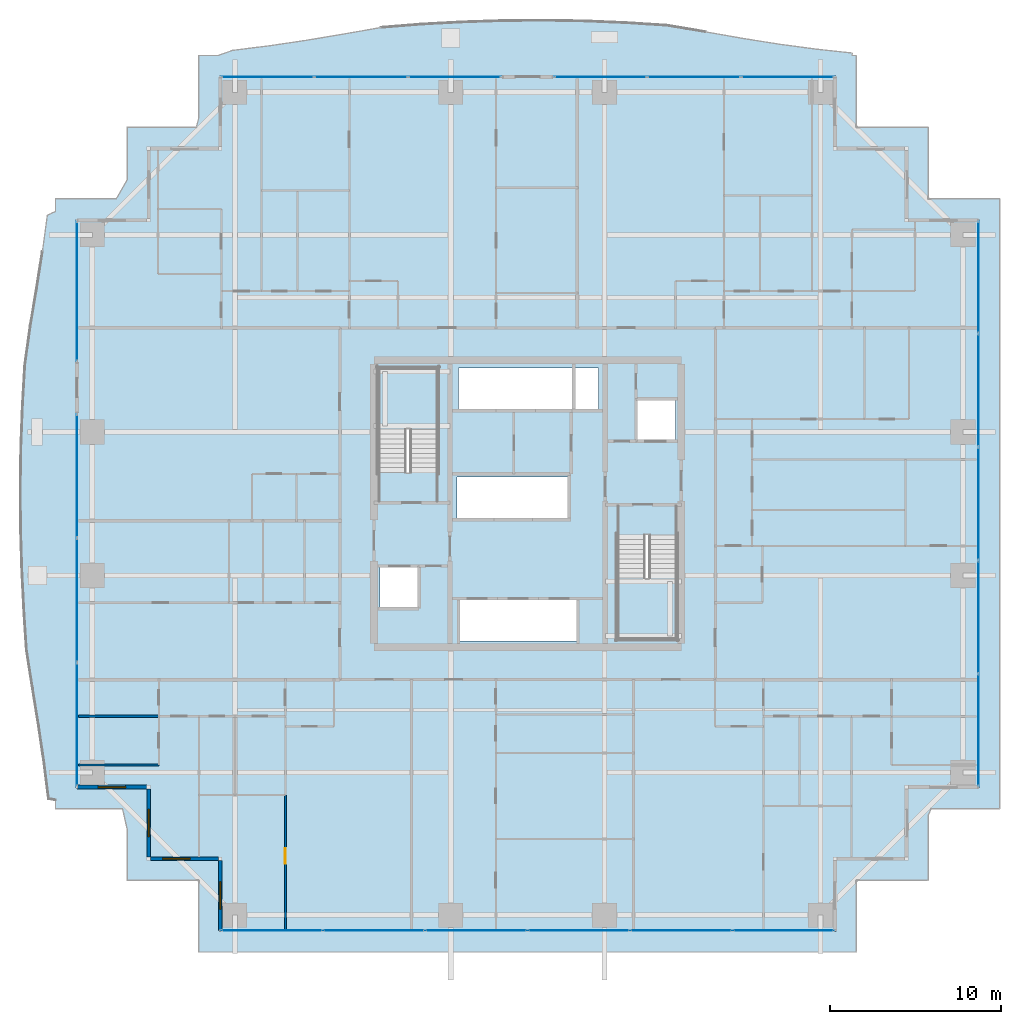
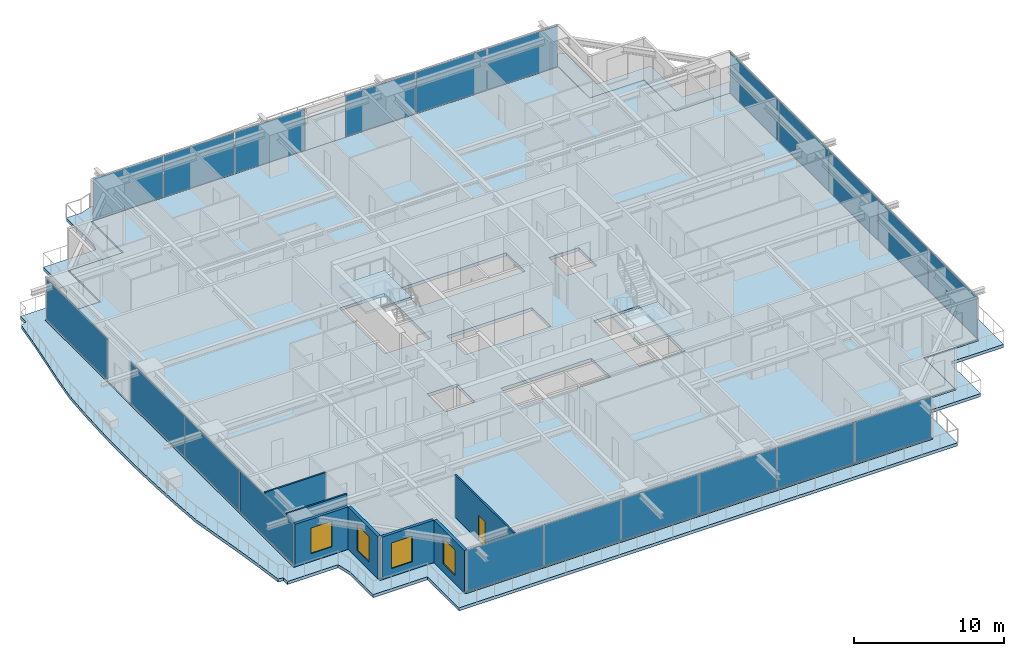
# One storey, part 22 of 35: 21 plates, 7 walls, 4 slabs, 4 windows, 1 door, 5 openings, 8 elements without a shape of their own.
"""IFC4 building model written with IfcOpenShell, lengths in metres."""

from ifc_helpers import new_model, si_unit, direction, frame, frame_2d, origin, origin_2d, place, context, subcontext, project, spatial, polyline, rectangle, outline, extrude, source, transform, mapped, material, layer, layer_set, type_object, element, fill, aggregate, save


model = new_model("IFC4")

# Units and contexts
model_context = context("Model", 3, precision=1e-05, world=origin(), true_north=direction((0.0, 1.0)))
body_context = subcontext(model_context, "Body", "Model", "MODEL_VIEW")
ifc_project = project(units=[si_unit("LENGTHUNIT", "METRE"), si_unit("AREAUNIT", "SQUARE_METRE"), si_unit("VOLUMEUNIT", "CUBIC_METRE"), si_unit("PLANEANGLEUNIT", "RADIAN"), si_unit("MASSUNIT", "GRAM", prefix="KILO")], contexts=[model_context])

# Site, building, storey
site_placement = place(None, origin())
site = spatial("IfcSite", under=ifc_project, at=site_placement, CompositionType="ELEMENT")
building_placement = place(site_placement, origin())
building = spatial("IfcBuilding", under=site, at=building_placement, Name="Serunith Strait Residences", CompositionType="ELEMENT")
storey_placement = place(building_placement, frame((0.0, 0.0, 71.699951171875)))
storey = spatial("IfcBuildingStorey", under=building, at=storey_placement, Name="L17", CompositionType="ELEMENT", Elevation=71.699951171875)

# Slab
ifc_material_1 = material(Name="Concrete C50/60", Category="concrete")
ifc_layer_1 = layer(ifc_material_1, 0.239990234375, Name="Concrete C50/60")
ifc_layer_set_1 = layer_set([ifc_layer_1], Name="Concrete C50/60")
slab_type_1 = type_object("IfcSlabType", Name="SLB-BALC-240", PredefinedType="FLOOR", material=ifc_layer_set_1)
slab_1_placement = place(storey_placement, frame((0.0, 0.0, -0.2900390625)))
element("IfcSlab", 1, at=slab_1_placement, inside=storey, type_object=slab_type_1, Name="L17 Planted Vertical-Forest Balcony Slab", PredefinedType="FLOOR", context=body_context, shape_type="SweptSolid", body=[
    extrude(outline(polyline([(4.739990234375, 7.8486328125), (4.343994140625, 7.912841796875), (4.0751953125, 10.045166015625), (3.758056640625, 12.198974609375), (3.402587890625, 14.39013671875), (3.04833984375, 16.63916015625), (2.896240234375, 18.98828125), (2.779296875, 21.366455078125), (2.70751953125, 23.76611328125), (2.68896484375, 26.17529296875), (2.726318359375, 28.581298828125), (2.817138671875, 30.970947265625), (2.953369140625, 33.3330078125), (3.2705078125, 35.608642578125), (3.639892578125, 37.809814453125), (3.977294921875, 39.967529296875), (4.266845703125, 42.099609375), (4.739990234375, 42.315185546875), (4.739990234375, 43.06005859375), (8.30224609375, 43.06005859375), (8.93994140625, 44.169921875), (8.93994140625, 47.260009765625), (12.993408203125, 47.260009765625), (13.139892578125, 47.809814453125), (13.139892578125, 51.4599609375), (14.28369140625, 51.4599609375), (15.120361328125, 51.757080078125), (17.246826171875, 52.019775390625), (19.39208984375, 52.337890625), (21.572998046875, 52.703369140625), (23.808837890625, 53.093505859375), (26.156005859375, 53.28369140625), (28.544189453125, 53.412109375), (30.957275390625, 53.49072265625), (33.38134765625, 53.5107421875), (35.801513671875, 53.468505859375), (38.202392578125, 53.366943359375), (40.5712890625, 53.21630859375), (42.828369140625, 52.8369140625), (45.018310546875, 52.45361328125), (47.166259765625, 52.113037109375), (49.291259765625, 51.828369140625), (51.407958984375, 51.599853515625), (51.40673828125, 51.4599609375), (51.659912109375, 51.4599609375), (51.659912109375, 47.260009765625), (55.860107421875, 47.260009765625), (55.860107421875, 43.06005859375), (60.06005859375, 43.06005859375), (60.06005859375, 7.340087890625), (56.041259765625, 7.340087890625), (55.860107421875, 6.9423828125), (55.860107421875, 3.139892578125), (51.659912109375, 3.139892578125), (51.659912109375, -1.06005859375), (13.139892578125, -1.06005859375), (13.139892578125, 3.139892578125), (8.93994140625, 3.139892578125), (8.93994140625, 6.15087890625), (8.669921875, 7.340087890625), (4.739990234375, 7.340087890625), (4.739990234375, 7.8486328125)]), holes=[polyline([(50.455078125, 0.14501953125), (50.455078125, 4.344970703125), (54.655029296875, 4.344970703125), (54.655029296875, 8.544921875), (58.85498046875, 8.544921875), (58.85498046875, 41.85498046875), (54.655029296875, 41.85498046875), (54.655029296875, 46.054931640625), (50.455078125, 46.054931640625), (50.455078125, 50.2548828125), (14.344970703125, 50.2548828125), (14.344970703125, 46.054931640625), (10.14501953125, 46.054931640625), (10.14501953125, 41.85498046875), (5.945068359375, 41.85498046875), (5.945068359375, 8.544921875), (10.14501953125, 8.544921875), (10.14501953125, 4.344970703125), (14.344970703125, 4.344970703125), (14.344970703125, 0.14501953125), (50.455078125, 0.14501953125)])]), origin(), (0.0, 0.0, 1.0), 0.239990234375),
])

# Stair, slab
stair_type_1 = type_object("IfcStairType", Name="STR-CORE-1", PredefinedType="HALF_TURN_STAIR", material=ifc_material_1)
stair_1_placement = place(storey_placement, origin())
stair_1 = element("IfcStair", 2, at=stair_1_placement, inside=storey, type_object=stair_type_1, Name="L17 Protected Escape Stair ST-1", PredefinedType="HALF_TURN_STAIR")
ifc_layer_2 = layer(ifc_material_1, 0.199951171875, Name="Concrete C50/60")
ifc_layer_set_2 = layer_set([ifc_layer_2], Name="Concrete C50/60")
slab_type_2 = type_object("IfcSlabType", Name="SLB-LAND-200", PredefinedType="LANDING", material=ifc_layer_set_2)
slab_2_placement = place(storey_placement, frame((0.0, 0.0, 1.675048828125)))
slab_2 = element("IfcSlab", 3, at=slab_2_placement, type_object=slab_type_2, Name="ST-1 landing 1", PredefinedType="LANDING", context=body_context, shape_type="SweptSolid", body=[
    extrude(outline(polyline([(27.14990234375, 29.550048828125), (27.14990234375, 33.14990234375), (23.64990234375, 33.14990234375), (23.64990234375, 29.550048828125), (27.14990234375, 29.550048828125)])), origin(), (0.0, 0.0, 1.0), 0.199951171875),
])
aggregate(stair_1, [slab_2])

stair_type_2 = type_object("IfcStairType", Name="STR-CORE-2", PredefinedType="HALF_TURN_STAIR", material=ifc_material_1)
stair_2_placement = place(storey_placement, origin())
stair_2 = element("IfcStair", 4, at=stair_2_placement, inside=storey, type_object=stair_type_2, Name="L17 Protected Escape Stair ST-2", PredefinedType="HALF_TURN_STAIR")
slab_3_placement = place(storey_placement, frame((0.0, 0.0, 1.675048828125)))
slab_3 = element("IfcSlab", 5, at=slab_3_placement, type_object=slab_type_2, Name="ST-2 landing 1", PredefinedType="LANDING", context=body_context, shape_type="SweptSolid", body=[
    extrude(outline(polyline([(37.64990234375, 20.85009765625), (37.64990234375, 17.25), (41.14990234375, 17.25), (41.14990234375, 20.85009765625), (37.64990234375, 20.85009765625)])), origin(), (0.0, 0.0, 1.0), 0.199951171875),
])
aggregate(stair_2, [slab_3])

# Slab
ifc_material_2 = material(Name="Concrete C60/75", Category="concrete")
ifc_layer_3 = layer(ifc_material_2, 0.260009765625, Name="Concrete C60/75")
ifc_layer_set_3 = layer_set([ifc_layer_3], Name="Concrete C60/75")
slab_type_3 = type_object("IfcSlabType", Name="SLB-TWR-260-Z1", PredefinedType="FLOOR", material=ifc_layer_set_3)
slab_4_placement = place(storey_placement, frame((0.0, 0.0, -0.260009765625)))
element("IfcSlab", 6, at=slab_4_placement, inside=storey, type_object=slab_type_3, Name="L17 Structural Floor Plate", PredefinedType="FLOOR", context=body_context, shape_type="SweptSolid", body=[
    extrude(outline(polyline([(14.39990234375, 4.39990234375), (10.199951171875, 4.39990234375), (10.199951171875, 8.60009765625), (6.0, 8.60009765625), (6.0, 41.800048828125), (10.199951171875, 41.800048828125), (10.199951171875, 46.0), (14.39990234375, 46.0), (14.39990234375, 50.199951171875), (50.39990234375, 50.199951171875), (50.39990234375, 46.0), (54.60009765625, 46.0), (54.60009765625, 41.800048828125), (58.800048828125, 41.800048828125), (58.800048828125, 8.60009765625), (54.60009765625, 8.60009765625), (54.60009765625, 4.39990234375), (50.39990234375, 4.39990234375), (50.39990234375, 0.199951171875), (14.39990234375, 0.199951171875), (14.39990234375, 4.39990234375)]), holes=[polyline([(41.14990234375, 17.25), (41.14990234375, 23.3701171875), (37.64990234375, 23.3701171875), (37.64990234375, 17.25), (41.14990234375, 17.25)]), polyline([(41.050048828125, 31.25), (38.75, 31.25), (38.75, 28.85009765625), (41.050048828125, 28.85009765625), (41.050048828125, 31.25)]), polyline([(36.550048828125, 33.14990234375), (28.35009765625, 33.14990234375), (28.35009765625, 30.64990234375), (36.550048828125, 30.64990234375), (36.550048828125, 33.14990234375)]), polyline([(28.35009765625, 19.64990234375), (28.35009765625, 17.14990234375), (35.35009765625, 17.14990234375), (35.35009765625, 19.64990234375), (28.35009765625, 19.64990234375)]), polyline([(34.85009765625, 26.75), (28.25, 26.75), (28.25, 24.25), (34.85009765625, 24.25), (34.85009765625, 26.75)]), polyline([(23.64990234375, 33.14990234375), (23.64990234375, 27.030029296875), (27.14990234375, 27.030029296875), (27.14990234375, 33.14990234375), (23.64990234375, 33.14990234375)]), polyline([(26.050048828125, 21.550048828125), (23.75, 21.550048828125), (23.75, 19.14990234375), (26.050048828125, 19.14990234375), (26.050048828125, 21.550048828125)])]), origin(), (0.0, 0.0, 1.0), 0.260009765625),
])

# Curtain wall, plates
ifc_material_3 = material(Name="Pale-Champagne Anodised Aluminium", Category="aluminium")
ifc_layer_4 = layer(ifc_material_3, 0.199951171875, Name="Pale-Champagne Anodised Aluminium")
ifc_layer_set_4 = layer_set([ifc_layer_4], Name="Pale-Champagne Anodised Aluminium")
curtain_wall_type = type_object("IfcCurtainWallType", Name="CW-SYS1", PredefinedType="NOTDEFINED", material=ifc_layer_set_4)
curtain_wall_1_placement = place(storey_placement, origin())
curtain_wall_1 = element("IfcCurtainWall", 7, at=curtain_wall_1_placement, inside=storey, type_object=curtain_wall_type, Name="L17 S Unitised Fritted Curtain Wall", PredefinedType="NOTDEFINED")
ifc_material_4 = material(Name="Ceramic-Fritted Low-E Double Glazing 28mm", Category="glass")
ifc_layer_5 = layer(ifc_material_4, 0.028076171875, Name="Ceramic-Fritted Low-E Double Glazing 28mm")
ifc_layer_set_5 = layer_set([ifc_layer_5], Name="Ceramic-Fritted Low-E Double Glazing 28mm")
plate_type = type_object("IfcPlateType", Name="CW-SYS1-PNL", PredefinedType="CURTAIN_PANEL", material=ifc_layer_set_5)
shared_shape_1 = source(origin(), body_context, "Body", "SweptSolid", [
    extrude(rectangle(XDim=5.89501953125, YDim=0.028076171875, at=origin_2d()), origin(), (0.0, 0.0, 1.0), 3.35498046875),
])
plate_1_placement = place(storey_placement, frame((17.41748046875, 0.199951171875, 0.06005859375), z_axis=(0.0, 0.0, 1.0), x_axis=(1.0, 0.0, 0.0)))
plate_1 = element("IfcPlate", 8, at=plate_1_placement, type_object=plate_type, Name="CW-1 panel 1.1", PredefinedType="CURTAIN_PANEL", context=body_context, shape_type="MappedRepresentation", body=[
    mapped(shared_shape_1, transform((0.0, 0.0, 0.0), scale=1.0)),
])
plate_2_placement = place(storey_placement, frame((47.382568359375, 0.199951171875, 0.06005859375), z_axis=(0.0, 0.0, 1.0), x_axis=(1.0, 0.0, 0.0)))
plate_2 = element("IfcPlate", 9, at=plate_2_placement, type_object=plate_type, Name="CW-1 panel 6.1", PredefinedType="CURTAIN_PANEL", context=body_context, shape_type="MappedRepresentation", body=[
    mapped(shared_shape_1, transform((0.0, 0.0, 0.0), scale=1.0)),
])
shared_shape_2 = source(origin(), body_context, "Body", "SweptSolid", [
    extrude(rectangle(XDim=5.929931640625, YDim=0.028076171875, at=origin_2d()), origin(), (0.0, 0.0, 1.0), 3.35498046875),
])
plate_3_placement = place(storey_placement, frame((23.39990234375, 0.199951171875, 0.06005859375), z_axis=(0.0, 0.0, 1.0), x_axis=(1.0, 0.0, 0.0)))
plate_3 = element("IfcPlate", 10, at=plate_3_placement, type_object=plate_type, Name="CW-1 panel 2.1", PredefinedType="CURTAIN_PANEL", context=body_context, shape_type="MappedRepresentation", body=[
    mapped(shared_shape_2, transform((0.0, 0.0, 0.0), scale=1.0)),
])
plate_4_placement = place(storey_placement, frame((29.39990234375, 0.199951171875, 0.06005859375), z_axis=(0.0, 0.0, 1.0), x_axis=(1.0, 0.0, 0.0)))
plate_4 = element("IfcPlate", 11, at=plate_4_placement, type_object=plate_type, Name="CW-1 panel 3.1", PredefinedType="CURTAIN_PANEL", context=body_context, shape_type="MappedRepresentation", body=[
    mapped(shared_shape_2, transform((0.0, 0.0, 0.0), scale=1.0)),
])
plate_5_placement = place(storey_placement, frame((35.39990234375, 0.199951171875, 0.06005859375), z_axis=(0.0, 0.0, 1.0), x_axis=(1.0, 0.0, 0.0)))
plate_5 = element("IfcPlate", 12, at=plate_5_placement, type_object=plate_type, Name="CW-1 panel 4.1", PredefinedType="CURTAIN_PANEL", context=body_context, shape_type="MappedRepresentation", body=[
    mapped(shared_shape_2, transform((0.0, 0.0, 0.0), scale=1.0)),
])
plate_6_placement = place(storey_placement, frame((41.39990234375, 0.199951171875, 0.06005859375), z_axis=(0.0, 0.0, 1.0), x_axis=(1.0, 0.0, 0.0)))
plate_6 = element("IfcPlate", 13, at=plate_6_placement, type_object=plate_type, Name="CW-1 panel 5.1", PredefinedType="CURTAIN_PANEL", context=body_context, shape_type="MappedRepresentation", body=[
    mapped(shared_shape_2, transform((0.0, 0.0, 0.0), scale=1.0)),
])
aggregate(curtain_wall_1, [plate_1, plate_3, plate_4, plate_5, plate_6, plate_2])

curtain_wall_2_placement = place(storey_placement, origin())
curtain_wall_2 = element("IfcCurtainWall", 14, at=curtain_wall_2_placement, inside=storey, type_object=curtain_wall_type, Name="L17 N Unitised Fritted Curtain Wall", PredefinedType="NOTDEFINED")
shared_shape_3 = source(origin(), body_context, "Body", "SweptSolid", [
    extrude(rectangle(XDim=5.39501953125, YDim=0.028076171875, at=origin_2d()), origin(), (0.0, 0.0, 1.0), 3.35498046875),
])
plate_7_placement = place(storey_placement, frame((47.632568359375, 50.199951171875, 0.06005859375), z_axis=(0.0, 0.0, 1.0), x_axis=(-1.0, 0.0, 0.0)))
plate_7 = element("IfcPlate", 15, at=plate_7_placement, type_object=plate_type, Name="CW-1 panel 1.1", PredefinedType="CURTAIN_PANEL", context=body_context, shape_type="MappedRepresentation", body=[
    mapped(shared_shape_3, transform((0.0, 0.0, 0.0), scale=1.0)),
])
plate_8_placement = place(storey_placement, frame((36.66748046875, 50.199951171875, 0.06005859375), z_axis=(0.0, 0.0, 1.0), x_axis=(-1.0, 0.0, 0.0)))
plate_8 = element("IfcPlate", 16, at=plate_8_placement, type_object=plate_type, Name="CW-1 panel 3.1", PredefinedType="CURTAIN_PANEL", context=body_context, shape_type="MappedRepresentation", body=[
    mapped(shared_shape_3, transform((0.0, 0.0, 0.0), scale=1.0)),
])

curtain_wall_3_placement = place(storey_placement, origin())
curtain_wall_3 = element("IfcCurtainWall", 17, at=curtain_wall_3_placement, inside=storey, type_object=curtain_wall_type, Name="L17 N Unitised Fritted Curtain Wall", PredefinedType="NOTDEFINED")
plate_9_placement = place(storey_placement, frame((28.132568359375, 50.199951171875, 0.06005859375), z_axis=(0.0, 0.0, 1.0), x_axis=(-1.0, 0.0, 0.0)))
plate_9 = element("IfcPlate", 18, at=plate_9_placement, type_object=plate_type, Name="CW-1 panel 1.1", PredefinedType="CURTAIN_PANEL", context=body_context, shape_type="MappedRepresentation", body=[
    mapped(shared_shape_3, transform((0.0, 0.0, 0.0), scale=1.0)),
])
plate_10_placement = place(storey_placement, frame((17.16748046875, 50.199951171875, 0.06005859375), z_axis=(0.0, 0.0, 1.0), x_axis=(-1.0, 0.0, 0.0)))
plate_10 = element("IfcPlate", 19, at=plate_10_placement, type_object=plate_type, Name="CW-1 panel 3.1", PredefinedType="CURTAIN_PANEL", context=body_context, shape_type="MappedRepresentation", body=[
    mapped(shared_shape_3, transform((0.0, 0.0, 0.0), scale=1.0)),
])

# Plate
shared_shape_4 = source(origin(), body_context, "Body", "SweptSolid", [
    extrude(rectangle(XDim=5.429931640625, YDim=0.028076171875, at=origin_2d()), origin(), (0.0, 0.0, 1.0), 3.35498046875),
])
plate_11_placement = place(storey_placement, frame((42.14990234375, 50.199951171875, 0.06005859375), z_axis=(0.0, 0.0, 1.0), x_axis=(-1.0, 0.0, 0.0)))
plate_11 = element("IfcPlate", 20, at=plate_11_placement, type_object=plate_type, Name="CW-1 panel 2.1", PredefinedType="CURTAIN_PANEL", context=body_context, shape_type="MappedRepresentation", body=[
    mapped(shared_shape_4, transform((0.0, 0.0, 0.0), scale=1.0)),
])

aggregate(curtain_wall_2, [plate_7, plate_11, plate_8])

plate_12_placement = place(storey_placement, frame((22.64990234375, 50.199951171875, 0.06005859375), z_axis=(0.0, 0.0, 1.0), x_axis=(-1.0, 0.0, 0.0)))
plate_12 = element("IfcPlate", 21, at=plate_12_placement, type_object=plate_type, Name="CW-1 panel 2.1", PredefinedType="CURTAIN_PANEL", context=body_context, shape_type="MappedRepresentation", body=[
    mapped(shared_shape_4, transform((0.0, 0.0, 0.0), scale=1.0)),
])

aggregate(curtain_wall_3, [plate_9, plate_12, plate_10])

# Curtain wall, plates
curtain_wall_4_placement = place(storey_placement, origin())
curtain_wall_4 = element("IfcCurtainWall", 22, at=curtain_wall_4_placement, inside=storey, type_object=curtain_wall_type, Name="L17 E Unitised Fritted Curtain Wall", PredefinedType="NOTDEFINED")
shared_shape_5 = source(origin(), body_context, "Body", "SweptSolid", [
    extrude(rectangle(XDim=6.534912109375, YDim=0.028076171875, at=origin_2d()), origin(), (0.0, 0.0, 1.0), 3.35498046875),
])
plate_13_placement = place(storey_placement, frame((58.800048828125, 11.9375, 0.06005859375), z_axis=(0.0, 0.0, 1.0), x_axis=(0.0, 1.0, 0.0)))
plate_13 = element("IfcPlate", 23, at=plate_13_placement, type_object=plate_type, Name="CW-1 panel 1.1", PredefinedType="CURTAIN_PANEL", context=body_context, shape_type="MappedRepresentation", body=[
    mapped(shared_shape_5, transform((0.0, 0.0, 0.0), scale=1.0)),
])
plate_14_placement = place(storey_placement, frame((58.800048828125, 38.46240234375, 0.06005859375), z_axis=(0.0, 0.0, 1.0), x_axis=(0.0, 1.0, 0.0)))
plate_14 = element("IfcPlate", 24, at=plate_14_placement, type_object=plate_type, Name="CW-1 panel 5.1", PredefinedType="CURTAIN_PANEL", context=body_context, shape_type="MappedRepresentation", body=[
    mapped(shared_shape_5, transform((0.0, 0.0, 0.0), scale=1.0)),
])
shared_shape_6 = source(origin(), body_context, "Body", "SweptSolid", [
    extrude(rectangle(XDim=6.570068359375, YDim=0.028076171875, at=origin_2d()), origin(), (0.0, 0.0, 1.0), 3.35498046875),
])
plate_15_placement = place(storey_placement, frame((58.800048828125, 18.56005859375, 0.06005859375), z_axis=(0.0, 0.0, 1.0), x_axis=(0.0, 1.0, 0.0)))
plate_15 = element("IfcPlate", 25, at=plate_15_placement, type_object=plate_type, Name="CW-1 panel 2.1", PredefinedType="CURTAIN_PANEL", context=body_context, shape_type="MappedRepresentation", body=[
    mapped(shared_shape_6, transform((0.0, 0.0, 0.0), scale=1.0)),
])
plate_16_placement = place(storey_placement, frame((58.800048828125, 25.199951171875, 0.06005859375), z_axis=(0.0, 0.0, 1.0), x_axis=(0.0, 1.0, 0.0)))
plate_16 = element("IfcPlate", 26, at=plate_16_placement, type_object=plate_type, Name="CW-1 panel 3.1", PredefinedType="CURTAIN_PANEL", context=body_context, shape_type="MappedRepresentation", body=[
    mapped(shared_shape_6, transform((0.0, 0.0, 0.0), scale=1.0)),
])
plate_17_placement = place(storey_placement, frame((58.800048828125, 31.840087890625, 0.06005859375), z_axis=(0.0, 0.0, 1.0), x_axis=(0.0, 1.0, 0.0)))
plate_17 = element("IfcPlate", 27, at=plate_17_placement, type_object=plate_type, Name="CW-1 panel 4.1", PredefinedType="CURTAIN_PANEL", context=body_context, shape_type="MappedRepresentation", body=[
    mapped(shared_shape_6, transform((0.0, 0.0, 0.0), scale=1.0)),
])
aggregate(curtain_wall_4, [plate_13, plate_15, plate_16, plate_17, plate_14])

# Curtain wall, plate
curtain_wall_5_placement = place(storey_placement, origin())
curtain_wall_5 = element("IfcCurtainWall", 28, at=curtain_wall_5_placement, inside=storey, type_object=curtain_wall_type, Name="L17 W Unitised Fritted Curtain Wall", PredefinedType="NOTDEFINED")
shared_shape_7 = source(origin(), body_context, "Body", "SweptSolid", [
    extrude(rectangle(XDim=8.159912109375, YDim=0.028076171875, at=origin_2d()), origin(), (0.0, 0.0, 1.0), 3.35498046875),
])
plate_18_placement = place(storey_placement, frame((6.0, 37.64990234375, 0.06005859375), z_axis=(0.0, 0.0, 1.0), x_axis=(0.0, -1.0, 0.0)))
plate_18 = element("IfcPlate", 29, at=plate_18_placement, type_object=plate_type, Name="CW-1 panel 1.1", PredefinedType="CURTAIN_PANEL", context=body_context, shape_type="MappedRepresentation", body=[
    mapped(shared_shape_7, transform((0.0, 0.0, 0.0), scale=1.0)),
])
aggregate(curtain_wall_5, [plate_18])

# Curtain wall, plates
curtain_wall_6_placement = place(storey_placement, origin())
curtain_wall_6 = element("IfcCurtainWall", 30, at=curtain_wall_6_placement, inside=storey, type_object=curtain_wall_type, Name="L17 W Unitised Fritted Curtain Wall", PredefinedType="NOTDEFINED")
shared_shape_8 = source(origin(), body_context, "Body", "SweptSolid", [
    extrude(rectangle(XDim=7.195068359375, YDim=0.028076171875, at=origin_2d()), origin(), (0.0, 0.0, 1.0), 3.35498046875),
])
plate_19_placement = place(storey_placement, frame((6.0, 26.83251953125, 0.06005859375), z_axis=(0.0, 0.0, 1.0), x_axis=(0.0, -1.0, 0.0)))
plate_19 = element("IfcPlate", 31, at=plate_19_placement, type_object=plate_type, Name="CW-1 panel 1.1", PredefinedType="CURTAIN_PANEL", context=body_context, shape_type="MappedRepresentation", body=[
    mapped(shared_shape_8, transform((0.0, 0.0, 0.0), scale=1.0)),
])
plate_20_placement = place(storey_placement, frame((6.0, 12.267578125, 0.06005859375), z_axis=(0.0, 0.0, 1.0), x_axis=(0.0, -1.0, 0.0)))
plate_20 = element("IfcPlate", 32, at=plate_20_placement, type_object=plate_type, Name="CW-1 panel 3.1", PredefinedType="CURTAIN_PANEL", context=body_context, shape_type="MappedRepresentation", body=[
    mapped(shared_shape_8, transform((0.0, 0.0, 0.0), scale=1.0)),
])
shared_shape_9 = source(origin(), body_context, "Body", "SweptSolid", [
    extrude(rectangle(XDim=7.22998046875, YDim=0.028076171875, at=origin_2d()), origin(), (0.0, 0.0, 1.0), 3.35498046875),
])
plate_21_placement = place(storey_placement, frame((6.0, 19.550048828125, 0.06005859375), z_axis=(0.0, 0.0, 1.0), x_axis=(0.0, -1.0, 0.0)))
plate_21 = element("IfcPlate", 33, at=plate_21_placement, type_object=plate_type, Name="CW-1 panel 2.1", PredefinedType="CURTAIN_PANEL", context=body_context, shape_type="MappedRepresentation", body=[
    mapped(shared_shape_9, transform((0.0, 0.0, 0.0), scale=1.0)),
])
aggregate(curtain_wall_6, [plate_19, plate_21, plate_20])

# Wall, opening, window
ifc_material_5 = material(Name="Pale-Champagne Aluminium Insulated Panel", Category="aluminium")
ifc_layer_6 = layer(ifc_material_5, 0.219970703125, Name="Pale-Champagne Aluminium Insulated Panel")
ifc_layer_set_6 = layer_set([ifc_layer_6], Name="Pale-Champagne Aluminium Insulated Panel")
wall_type_1 = type_object("IfcWallType", Name="EW-ALUM-220", PredefinedType="ELEMENTEDWALL", material=ifc_layer_set_6)
wall_1_placement = place(storey_placement, frame((6.0, 8.60009765625, 0.0), z_axis=(0.0, 0.0, 1.0), x_axis=(1.0, 0.0, 0.0)))
wall_1 = element("IfcWall", 34, at=wall_1_placement, inside=storey, type_object=wall_type_1, Name="L17 Girih Serrated Corner Wall 17", PredefinedType="ELEMENTEDWALL", context=body_context, shape_type="SweptSolid", body=[
    extrude(rectangle(XDim=4.090087890625, YDim=0.219970703125, at=frame_2d((2.044921875, 0.0))), origin(), (0.0, 0.0, 1.0), 3.47509765625),
])
opening_1_placement = place(wall_1_placement, frame((1.2451171875, 0.0, 0.64990234375)))
opening_1 = element("IfcOpeningElement", 35, at=opening_1_placement, cuts=wall_1, Name="Opening W-02", PredefinedType="OPENING", context=body_context, shape_type="SweptSolid", body=[
    extrude(rectangle(XDim=1.60009765625, YDim=2.10009765625, at=frame_2d((0.800048828125, 1.050048828125))), frame((0.0, 0.1201171875, 0.0), z_axis=(0.0, -1.0, 0.0), x_axis=(1.0, 0.0, 0.0)), (0.0, 0.0, 1.0), 0.239990234375),
])
ifc_material_6 = material(Name="Ceramic-Fritted Operable Aluminium Window Glass", Category="aluminium")
window_type = type_object("IfcWindowType", Name="WIN-C2", PartitioningType="DOUBLE_PANEL_VERTICAL", PredefinedType="WINDOW", material=ifc_material_6)
shared_shape_10 = source(origin(), body_context, "Body", "SweptSolid", [
    extrude(rectangle(XDim=1.60009765625, YDim=2.10009765625, at=frame_2d((0.800048828125, 1.050048828125))), frame((0.0, 0.030029296875, 0.0), z_axis=(0.0, -1.0, 0.0), x_axis=(1.0, 0.0, 0.0)), (0.0, 0.0, 1.0), 0.06005859375),
])
window_1_placement = place(opening_1_placement, origin())
window_1 = element("IfcWindow", 36, at=window_1_placement, inside=storey, type_object=window_type, Name="L17 Corner Operable Fritted Window 17", OverallHeight=2.10009765625, OverallWidth=1.60009765625, PartitioningType="SINGLE_PANEL", PredefinedType="WINDOW", context=body_context, shape_type="MappedRepresentation", body=[
    mapped(shared_shape_10, transform((0.0, 0.0, 0.0), scale=1.0)),
])
fill(opening_1, window_1)

wall_2_placement = place(storey_placement, frame((10.199951171875, 8.489990234375, 0.0), z_axis=(0.0, 0.0, 1.0), x_axis=(0.0, -1.0, 0.0)))
wall_2 = element("IfcWall", 37, at=wall_2_placement, inside=storey, type_object=wall_type_1, Name="L17 Girih Serrated Corner Wall 18", PredefinedType="ELEMENTEDWALL", context=body_context, shape_type="SweptSolid", body=[
    extrude(rectangle(XDim=3.97998046875, YDim=0.219970703125, at=frame_2d((1.989990234375, 0.0))), origin(), (0.0, 0.0, 1.0), 3.47509765625),
])
opening_2_placement = place(wall_2_placement, frame((1.18994140625, 0.0, 0.64990234375)))
opening_2 = element("IfcOpeningElement", 38, at=opening_2_placement, cuts=wall_2, Name="Opening W-02", PredefinedType="OPENING", context=body_context, shape_type="SweptSolid", body=[
    extrude(rectangle(XDim=1.60009765625, YDim=2.10009765625, at=frame_2d((0.800048828125, 1.050048828125))), frame((0.0, 0.1201171875, 0.0), z_axis=(0.0, -1.0, 0.0), x_axis=(1.0, 0.0, 0.0)), (0.0, 0.0, 1.0), 0.239990234375),
])
window_2_placement = place(opening_2_placement, origin())
window_2 = element("IfcWindow", 39, at=window_2_placement, inside=storey, type_object=window_type, Name="L17 Corner Operable Fritted Window 18", OverallHeight=2.10009765625, OverallWidth=1.60009765625, PartitioningType="SINGLE_PANEL", PredefinedType="WINDOW", context=body_context, shape_type="MappedRepresentation", body=[
    mapped(shared_shape_10, transform((0.0, 0.0, 0.0), scale=1.0)),
])
fill(opening_2, window_2)

wall_3_placement = place(storey_placement, frame((10.31005859375, 4.39990234375, 0.0), z_axis=(0.0, 0.0, 1.0), x_axis=(1.0, 0.0, 0.0)))
wall_3 = element("IfcWall", 40, at=wall_3_placement, inside=storey, type_object=wall_type_1, Name="L17 Girih Serrated Corner Wall 19", PredefinedType="ELEMENTEDWALL", context=body_context, shape_type="SweptSolid", body=[
    extrude(rectangle(XDim=3.97998046875, YDim=0.219970703125, at=frame_2d((1.989990234375, 0.0))), origin(), (0.0, 0.0, 1.0), 3.47509765625),
])
opening_3_placement = place(wall_3_placement, frame((0.714111328125, 0.0, 0.64990234375)))
opening_3 = element("IfcOpeningElement", 41, at=opening_3_placement, cuts=wall_3, Name="Opening W-02", PredefinedType="OPENING", context=body_context, shape_type="SweptSolid", body=[
    extrude(rectangle(XDim=1.60009765625, YDim=2.10009765625, at=frame_2d((0.800048828125, 1.050048828125))), frame((0.0, 0.1201171875, 0.0), z_axis=(0.0, -1.0, 0.0), x_axis=(1.0, 0.0, 0.0)), (0.0, 0.0, 1.0), 0.239990234375),
])
window_3_placement = place(opening_3_placement, origin())
window_3 = element("IfcWindow", 42, at=window_3_placement, inside=storey, type_object=window_type, Name="L17 Corner Operable Fritted Window 19", OverallHeight=2.10009765625, OverallWidth=1.60009765625, PartitioningType="SINGLE_PANEL", PredefinedType="WINDOW", context=body_context, shape_type="MappedRepresentation", body=[
    mapped(shared_shape_10, transform((0.0, 0.0, 0.0), scale=1.0)),
])
fill(opening_3, window_3)

wall_4_placement = place(storey_placement, frame((14.39990234375, 4.2900390625, 0.0), z_axis=(0.0, 0.0, 1.0), x_axis=(0.0, -1.0, 0.0)))
wall_4 = element("IfcWall", 43, at=wall_4_placement, inside=storey, type_object=wall_type_1, Name="L17 Girih Serrated Corner Wall 20", PredefinedType="ELEMENTEDWALL", context=body_context, shape_type="SweptSolid", body=[
    extrude(rectangle(XDim=4.090087890625, YDim=0.219970703125, at=frame_2d((2.044921875, 0.0))), origin(), (0.0, 0.0, 1.0), 3.47509765625),
])
opening_4_placement = place(wall_4_placement, frame((1.2451171875, 0.0, 0.64990234375)))
opening_4 = element("IfcOpeningElement", 44, at=opening_4_placement, cuts=wall_4, Name="Opening W-02", PredefinedType="OPENING", context=body_context, shape_type="SweptSolid", body=[
    extrude(rectangle(XDim=1.60009765625, YDim=2.10009765625, at=frame_2d((0.800048828125, 1.050048828125))), frame((0.0, 0.1201171875, 0.0), z_axis=(0.0, -1.0, 0.0), x_axis=(1.0, 0.0, 0.0)), (0.0, 0.0, 1.0), 0.239990234375),
])
window_4_placement = place(opening_4_placement, origin())
window_4 = element("IfcWindow", 45, at=window_4_placement, inside=storey, type_object=window_type, Name="L17 Corner Operable Fritted Window 20", OverallHeight=2.10009765625, OverallWidth=1.60009765625, PartitioningType="SINGLE_PANEL", PredefinedType="WINDOW", context=body_context, shape_type="MappedRepresentation", body=[
    mapped(shared_shape_10, transform((0.0, 0.0, 0.0), scale=1.0)),
])
fill(opening_4, window_4)

# Wall, opening, door
ifc_material_7 = material(Name="Lightweight steel-stud gypsum partition", Category="steel")
ifc_layer_7 = layer(ifc_material_7, 0.1201171875, Name="Lightweight steel-stud gypsum partition")
ifc_layer_set_7 = layer_set([ifc_layer_7], Name="Lightweight steel-stud gypsum partition")
wall_type_2 = type_object("IfcWallType", Name="IW-PART-120", PredefinedType="PARTITIONING", material=ifc_layer_set_7)
wall_5_placement = place(storey_placement, frame((18.2099609375, 0.294921875, 0.0), z_axis=(0.0, 0.0, 1.0), x_axis=(0.0, 1.0, 0.0)))
wall_5 = element("IfcWall", 46, at=wall_5_placement, inside=storey, type_object=wall_type_2, Name="L17 Partition Wall 030", PredefinedType="PARTITIONING", context=body_context, shape_type="SweptSolid", body=[
    extrude(rectangle(XDim=7.843994140625, YDim=0.1201171875, at=frame_2d((3.921875, 0.0))), origin(), (0.0, 0.0, 1.0), 3.489990234375),
])
opening_5_placement = place(wall_5_placement, frame((3.819091796875, 0.0, 0.0)))
opening_5 = element("IfcOpeningElement", 47, at=opening_5_placement, cuts=wall_5, Name="Opening D-RM900", PredefinedType="OPENING", context=body_context, shape_type="SweptSolid", body=[
    extrude(rectangle(XDim=0.89990234375, YDim=2.10009765625, at=frame_2d((0.449951171875, 1.050048828125))), frame((0.0, 0.070068359375, 0.0), z_axis=(0.0, -1.0, 0.0), x_axis=(1.0, 0.0, 0.0)), (0.0, 0.0, 1.0), 0.14013671875),
])
ifc_material_8 = material(Name="Engineered timber flush bedroom door", Category="wood")
door_type = type_object("IfcDoorType", Name="ID-ROOM-900", OperationType="NOTDEFINED", PredefinedType="DOOR", material=ifc_material_8)
shared_shape_11 = source(origin(), body_context, "Body", "SweptSolid", [
    extrude(rectangle(XDim=0.89990234375, YDim=2.10009765625, at=frame_2d((0.449951171875, 1.050048828125))), frame((0.0, 0.02490234375, 0.0), z_axis=(0.0, -1.0, 0.0), x_axis=(1.0, 0.0, 0.0)), (0.0, 0.0, 1.0), 0.050048828125),
])
door_placement = place(opening_5_placement, origin())
door = element("IfcDoor", 48, at=door_placement, inside=storey, type_object=door_type, Name="L17 Formal Dining Room 1 1701 Door", OperationType="SINGLE_SWING_LEFT", OverallHeight=2.10009765625, OverallWidth=0.89990234375, PredefinedType="DOOR", context=body_context, shape_type="MappedRepresentation", body=[
    mapped(shared_shape_11, transform((0.0, 0.0, 0.0), scale=1.0)),
])
fill(opening_5, door)

# Walls
wall_6_placement = place(storey_placement, frame((6.094970703125, 9.89404296875, 0.0), z_axis=(0.0, 0.0, 1.0), x_axis=(1.0, 0.0, 0.0)))
element("IfcWall", 49, at=wall_6_placement, inside=storey, type_object=wall_type_2, Name="L17 Partition Wall 038", PredefinedType="PARTITIONING", context=body_context, shape_type="SweptSolid", body=[
    extrude(rectangle(XDim=4.705078125, YDim=0.1201171875, at=frame_2d((2.3525390625, 0.0))), origin(), (0.0, 0.0, 1.0), 3.489990234375),
])
wall_7_placement = place(storey_placement, frame((6.094970703125, 12.75, 0.0), z_axis=(0.0, 0.0, 1.0), x_axis=(1.0, 0.0, 0.0)))
element("IfcWall", 50, at=wall_7_placement, inside=storey, type_object=wall_type_2, Name="L17 Partition Wall 039", PredefinedType="PARTITIONING", context=body_context, shape_type="SweptSolid", body=[
    extrude(rectangle(XDim=4.703125, YDim=0.1201171875, at=frame_2d((2.3515625, 0.0))), origin(), (0.0, 0.0, 1.0), 3.489990234375),
])

save(model, "model.ifc")
